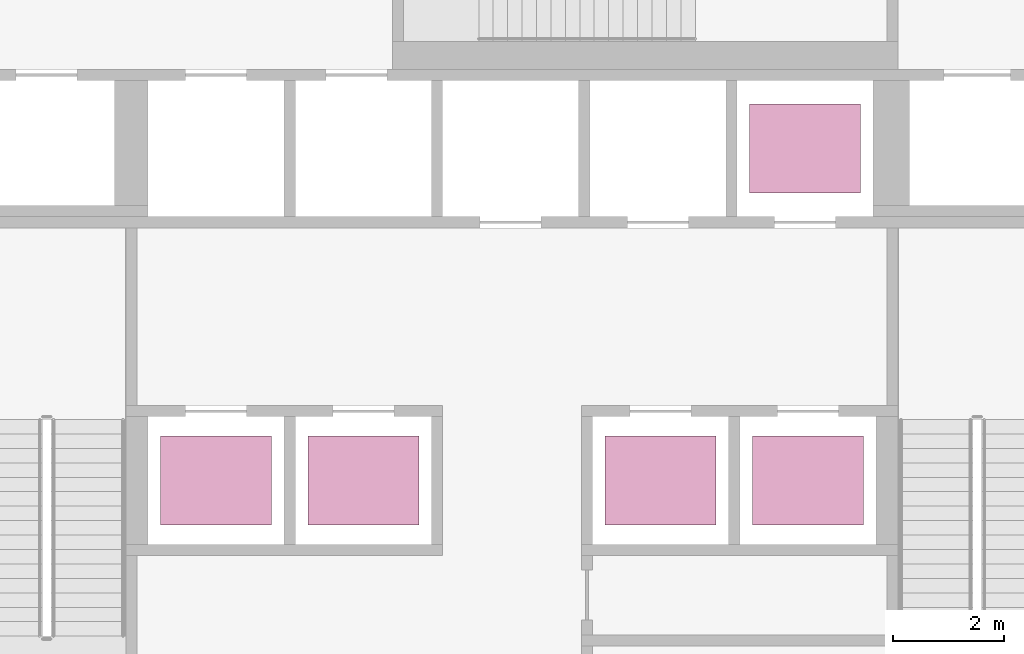
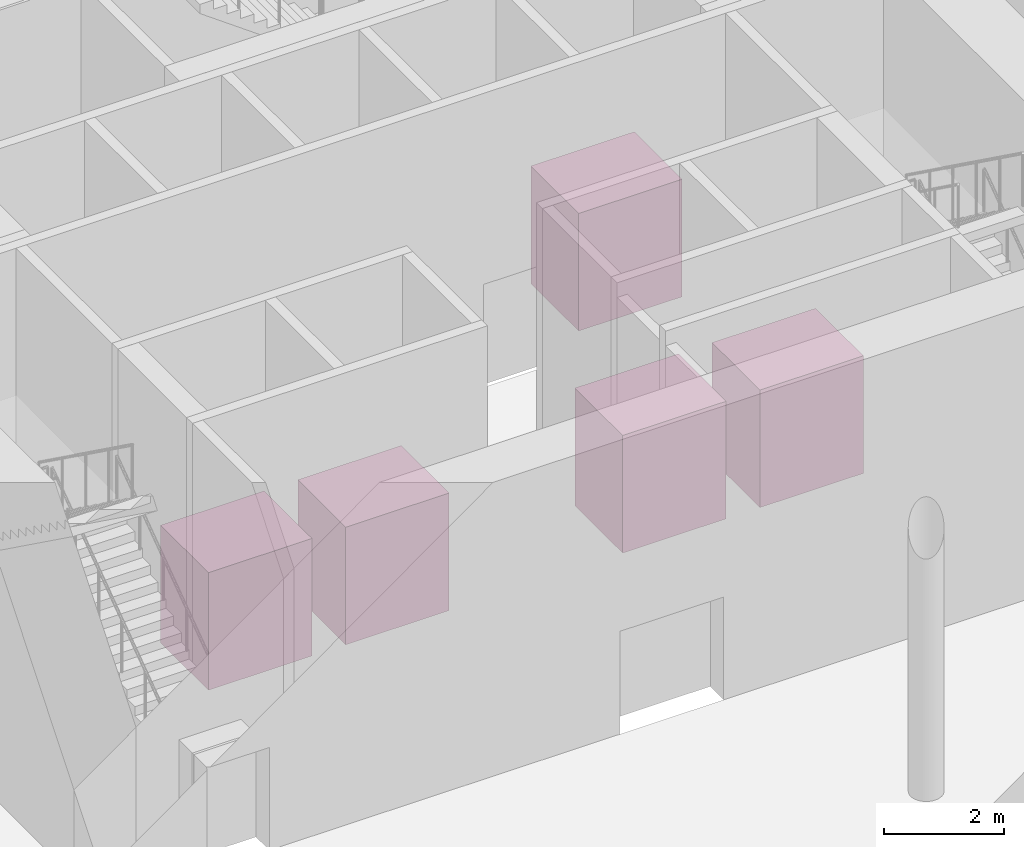
# One storey, part 14 of 14: 5 transport elements.
"""IFC4 building model written with IfcOpenShell, lengths in metres."""

from ifc_helpers import new_model, si_unit, direction, frame, origin, origin_2d, place, context, subcontext, project, spatial, rectangle, extrude, material, type_object, element, save


model = new_model("IFC4")

# Units and contexts
model_context = context("Model", 3, precision=1e-05, world=origin(), true_north=direction((0.0, 1.0)))
body_context = subcontext(model_context, "Body", "Model", "MODEL_VIEW")
ifc_project = project(units=[si_unit("LENGTHUNIT", "METRE"), si_unit("AREAUNIT", "SQUARE_METRE"), si_unit("VOLUMEUNIT", "CUBIC_METRE"), si_unit("PLANEANGLEUNIT", "RADIAN"), si_unit("MASSUNIT", "GRAM", prefix="KILO")], contexts=[model_context])

# Site, building, storey
site_placement = place(None, origin())
site = spatial("IfcSite", under=ifc_project, at=site_placement, CompositionType="ELEMENT")
building_placement = place(site_placement, origin())
building = spatial("IfcBuilding", under=site, at=building_placement, Name="White Candle Pilgrim Tower", CompositionType="ELEMENT")
storey_placement = place(building_placement, frame((0.0, 0.0, 142.60009765625)))
storey = spatial("IfcBuildingStorey", under=building, at=storey_placement, Name="L32", CompositionType="ELEMENT", Elevation=142.60009765625)

# Transport elements
ifc_material = material(Name="Stainless steel", Category="steel")
transport_element_type_1 = type_object("IfcTransportElementType", Name="Passenger lift car EX1 2000 x 1600 1600 kg", PredefinedType="ELEVATOR", material=ifc_material)
transport_element_1_placement = place(storey_placement, frame((75.27490234375, 82.324951171875, 0.0), z_axis=(0.0, 0.0, 1.0), x_axis=(1.0, 0.0, 0.0)))
element("IfcTransportElement", 1, at=transport_element_1_placement, inside=storey, type_object=transport_element_type_1, Name="Observation express lift EX1", PredefinedType="ELEVATOR", context=body_context, shape_type="SweptSolid", body=[
    extrude(rectangle(XDim=2.0, YDim=1.60009765625, at=origin_2d()), origin(), (0.0, 0.0, 1.0), 2.39990234375),
])
transport_element_type_2 = type_object("IfcTransportElementType", Name="Passenger lift car HR1 2000 x 1600 1600 kg", PredefinedType="ELEVATOR", material=ifc_material)
transport_element_2_placement = place(storey_placement, frame((64.675048828125, 76.35009765625, 0.0), z_axis=(0.0, 0.0, 1.0), x_axis=(1.0, 0.0, 0.0)))
element("IfcTransportElement", 2, at=transport_element_2_placement, inside=storey, type_object=transport_element_type_2, Name="High-rise lift HR1", PredefinedType="ELEVATOR", context=body_context, shape_type="SweptSolid", body=[
    extrude(rectangle(XDim=2.0, YDim=1.60009765625, at=origin_2d()), origin(), (0.0, 0.0, 1.0), 2.39990234375),
])
transport_element_type_3 = type_object("IfcTransportElementType", Name="Passenger lift car HR2 2000 x 1600 1600 kg", PredefinedType="ELEVATOR", material=ifc_material)
transport_element_3_placement = place(storey_placement, frame((67.324951171875, 76.35009765625, 0.0), z_axis=(0.0, 0.0, 1.0), x_axis=(1.0, 0.0, 0.0)))
element("IfcTransportElement", 3, at=transport_element_3_placement, inside=storey, type_object=transport_element_type_3, Name="High-rise lift HR2", PredefinedType="ELEVATOR", context=body_context, shape_type="SweptSolid", body=[
    extrude(rectangle(XDim=2.0, YDim=1.60009765625, at=origin_2d()), origin(), (0.0, 0.0, 1.0), 2.39990234375),
])
transport_element_type_4 = type_object("IfcTransportElementType", Name="Passenger lift car MR1 2000 x 1600 1600 kg", PredefinedType="ELEVATOR", material=ifc_material)
transport_element_4_placement = place(storey_placement, frame((72.675048828125, 76.35009765625, 0.0), z_axis=(0.0, 0.0, 1.0), x_axis=(1.0, 0.0, 0.0)))
element("IfcTransportElement", 4, at=transport_element_4_placement, inside=storey, type_object=transport_element_type_4, Name="Mid-rise lift MR1", PredefinedType="ELEVATOR", context=body_context, shape_type="SweptSolid", body=[
    extrude(rectangle(XDim=2.0, YDim=1.60009765625, at=origin_2d()), origin(), (0.0, 0.0, 1.0), 2.39990234375),
])
transport_element_type_5 = type_object("IfcTransportElementType", Name="Passenger lift car MR2 2000 x 1600 1600 kg", PredefinedType="ELEVATOR", material=ifc_material)
transport_element_5_placement = place(storey_placement, frame((75.324951171875, 76.35009765625, 0.0), z_axis=(0.0, 0.0, 1.0), x_axis=(1.0, 0.0, 0.0)))
element("IfcTransportElement", 5, at=transport_element_5_placement, inside=storey, type_object=transport_element_type_5, Name="Mid-rise lift MR2", PredefinedType="ELEVATOR", context=body_context, shape_type="SweptSolid", body=[
    extrude(rectangle(XDim=2.0, YDim=1.60009765625, at=origin_2d()), origin(), (0.0, 0.0, 1.0), 2.39990234375),
])

save(model, "model.ifc")
